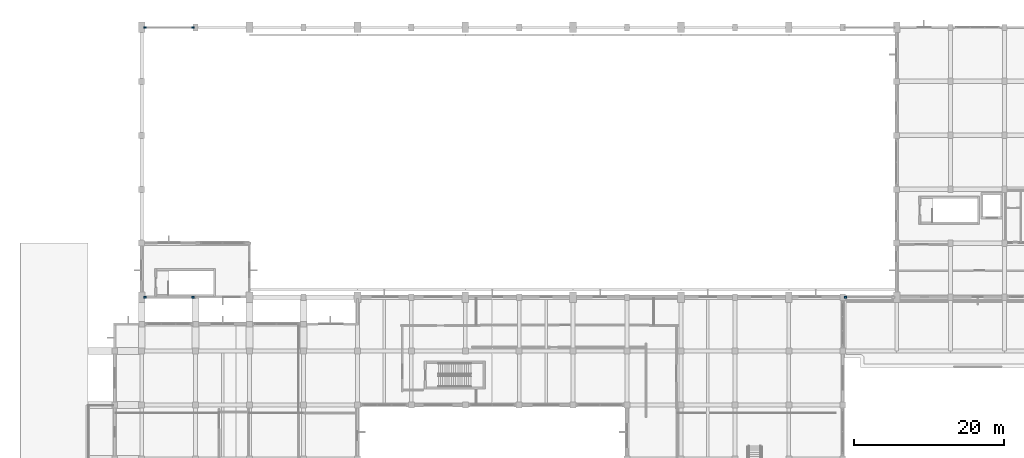
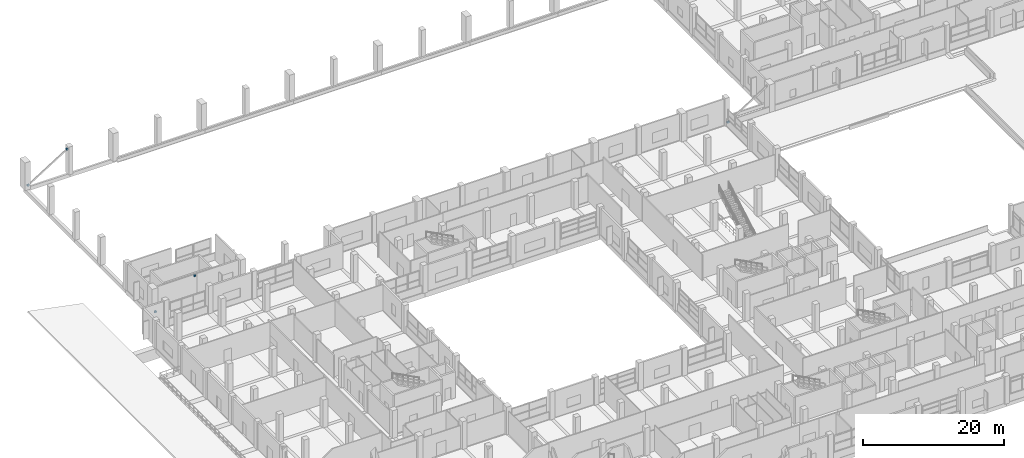
# One storey, part 116 of 140: 5 plates.
"""IFC4 building model written with IfcOpenShell, lengths in metres."""

from ifc_helpers import new_model, si_unit, direction, frame, origin, origin_2d, place, context, subcontext, project, spatial, rectangle, extrude, material, layer, layer_set, type_object, element, save


model = new_model("IFC4")

# Units and contexts
model_context = context("Model", 3, precision=1e-05, world=origin(), true_north=direction((0.0, 1.0)))
body_context = subcontext(model_context, "Body", "Model", "MODEL_VIEW")
ifc_project = project(units=[si_unit("LENGTHUNIT", "METRE"), si_unit("AREAUNIT", "SQUARE_METRE"), si_unit("VOLUMEUNIT", "CUBIC_METRE"), si_unit("PLANEANGLEUNIT", "RADIAN"), si_unit("MASSUNIT", "GRAM", prefix="KILO")], contexts=[model_context])

# Site, building, storey
site_placement = place(None, origin())
site = spatial("IfcSite", under=ifc_project, at=site_placement, CompositionType="ELEMENT")
building_placement = place(site_placement, origin())
building = spatial("IfcBuilding", under=site, at=building_placement, Name="Seraya Terrace Polytechnic", CompositionType="ELEMENT")
storey_placement = place(building_placement, frame((0.0, 0.0, 9.60009765625)))
storey = spatial("IfcBuildingStorey", under=building, at=storey_placement, Name="L02", CompositionType="ELEMENT", Elevation=9.60009765625)

# Plates
ifc_material = material(Name="Steel S355J2", Category="steel")
ifc_layer = layer(ifc_material, 0.300048828125, Name="EP-04")
ifc_layer_set = layer_set([ifc_layer], Name="Steel S355J2")
plate_type = type_object("IfcPlateType", Name="EP-04", PredefinedType="USERDEFINED", material=ifc_layer_set)
for number, where, z_axis, x_axis, name in (
    (1, (14.858154296875, 79.199951171875, 0.095703125), (0.0, 0.0, 1.0), (1.0, 0.0, 0.0), "Hollow end-cap plate VBR-L02-SW start"),
    (2, (21.24169921875, 79.199951171875, 4.10400390625), (0.0, 0.0, 1.0), (1.0, 0.0, 0.0), "Hollow end-cap plate VBR-L02-SW end"),
    (3, (108.358154296875, 79.199951171875, 0.095703125), (0.0, 0.0, 1.0), (1.0, 0.0, 0.0), "Hollow end-cap plate VBR-L02-SE start"),
    (4, (14.858154296875, 115.199951171875, 0.095703125), (0.0, 0.0, 1.0), (1.0, 0.0, 0.0), "Hollow end-cap plate VBR-L02-NW start"),
    (5, (21.24169921875, 115.199951171875, 4.10400390625), (0.0, 0.0, 1.0), (1.0, 0.0, 0.0), "Hollow end-cap plate VBR-L02-NW end"),
):
    element("IfcPlate", number, at=place(storey_placement, frame(where, z_axis=z_axis, x_axis=x_axis)), inside=storey, type_object=plate_type, Name=name, ObjectType="FLANGE_PLATE", PredefinedType="USERDEFINED", context=body_context, shape_type="SweptSolid", body=[
        extrude(rectangle(XDim=0.340087890625, YDim=0.239990234375, at=origin_2d()), origin(), (0.0, 0.0, 1.0), 0.300048828125),
    ])

save(model, "model.ifc")
